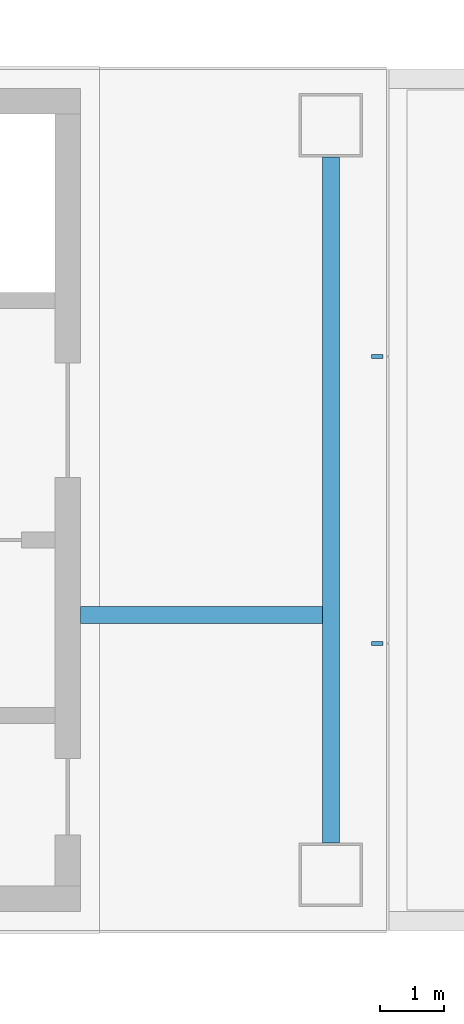
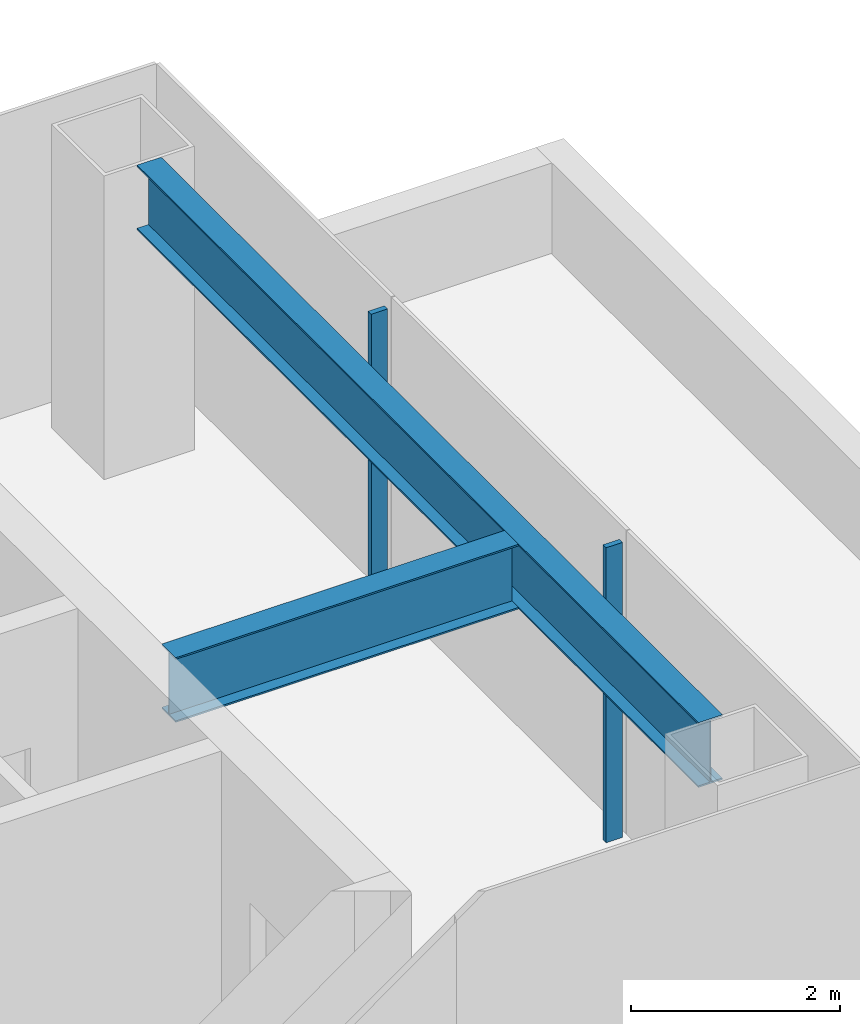
# One storey, part 4 of 16: 2 beams, 2 members, 1 element without a shape of its own.
"""IFC4 building model written with IfcOpenShell, lengths in metres."""

from ifc_helpers import new_model, si_unit, direction, frame, origin, origin_2d, place, context, subcontext, project, spatial, rectangle, i_section, extrude, material, layer, layer_set, material_profile, profile_set, type_object, element, aggregate, save


model = new_model("IFC4")

# Units and contexts
model_context = context("Model", 3, precision=1e-05, world=origin(), true_north=direction((0.0, 1.0)))
body_context = subcontext(model_context, "Body", "Model", "MODEL_VIEW")
ifc_project = project(units=[si_unit("LENGTHUNIT", "METRE"), si_unit("AREAUNIT", "SQUARE_METRE"), si_unit("VOLUMEUNIT", "CUBIC_METRE"), si_unit("PLANEANGLEUNIT", "RADIAN"), si_unit("MASSUNIT", "GRAM", prefix="KILO")], contexts=[model_context])

# Site, building, storey
site_placement = place(None, origin())
site = spatial("IfcSite", under=ifc_project, at=site_placement, CompositionType="ELEMENT")
building_placement = place(site_placement, origin())
building = spatial("IfcBuilding", under=site, at=building_placement, Name="Shamsa Quay Exchange Towers", CompositionType="ELEMENT")
storey_placement = place(building_placement, frame((0.0, 0.0, 182.699951171875)))
storey = spatial("IfcBuildingStorey", under=building, at=storey_placement, Name="L43", CompositionType="ELEMENT", Elevation=182.699951171875)

# Curtain wall, members
ifc_material_1 = material(Name="Aluminium EN AW-6063 T6, black anodised", Category="aluminium")
ifc_layer = layer(ifc_material_1, 0.280029296875)
ifc_layer_set = layer_set([ifc_layer], Name="CW-1 UNITISED VISION GLASS")
curtain_wall_type = type_object("IfcCurtainWallType", Name="CW-1 UNITISED VISION GLASS", PredefinedType="NOTDEFINED", material=ifc_layer_set)
curtain_wall_placement = place(storey_placement, origin())
curtain_wall = element("IfcCurtainWall", 1, at=curtain_wall_placement, inside=storey, type_object=curtain_wall_type, Name="CW1 T1-END-U+ L43", PredefinedType="NOTDEFINED")
ifc_material_profile_1 = material_profile(ifc_material_1, rectangle(XDim=0.179931640625, YDim=0.06005859375, at=origin_2d()), Name="MU60x180")
ifc_profile_set_1 = profile_set([ifc_material_profile_1], Name="Aluminium EN AW-6063 T6, black anodised")
member_type = type_object("IfcMemberType", Name="CW1 MULLION 60x180", PredefinedType="MULLION", material=ifc_profile_set_1)
member_1_placement = place(storey_placement, frame((-9.14990234375, -2.25, 0.0), z_axis=(0.0, 0.0, 1.0), x_axis=(-1.0, 0.0, 0.0)))
member_1 = element("IfcMember", 2, at=member_1_placement, type_object=member_type, Name="CW1 mullion", PredefinedType="MULLION", context=body_context, shape_type="SweptSolid", body=[
    extrude(rectangle(XDim=0.179931640625, YDim=0.06005859375, at=origin_2d()), origin(), (0.0, 0.0, 1.0), 3.449951171875),
])
member_2_placement = place(storey_placement, frame((-9.14990234375, 2.25, 0.0), z_axis=(0.0, 0.0, 1.0), x_axis=(-1.0, 0.0, 0.0)))
member_2 = element("IfcMember", 3, at=member_2_placement, type_object=member_type, Name="CW1 mullion", PredefinedType="MULLION", context=body_context, shape_type="SweptSolid", body=[
    extrude(rectangle(XDim=0.179931640625, YDim=0.06005859375, at=origin_2d()), origin(), (0.0, 0.0, 1.0), 3.449951171875),
])
aggregate(curtain_wall, [member_1, member_2])

# Beams
ifc_material_2 = material(Name="Steel S355", Category="steel")
ifc_material_profile_2 = material_profile(ifc_material_2, i_section(OverallWidth=0.26611328125, OverallDepth=0.7578125, WebThickness=0.013916015625, FlangeThickness=0.019287109375, at=origin_2d()), Name="W30x108")
ifc_profile_set_2 = profile_set([ifc_material_profile_2], Name="Steel S355")
beam_type = type_object("IfcBeamType", Name="End-zone beam W30x108", PredefinedType="BEAM", material=ifc_profile_set_2)
beam_1_placement = place(storey_placement, frame((-9.875, -5.375, 3.171142578125), z_axis=(0.0, 1.0, 0.0), x_axis=(-1.0, 0.0, 0.0)))
element("IfcBeam", 4, at=beam_1_placement, inside=storey, type_object=beam_type, Name="End beam T1 U+ end zone L43", PredefinedType="BEAM", context=body_context, shape_type="SweptSolid", body=[
    extrude(i_section(OverallWidth=0.26611328125, OverallDepth=0.7578125, WebThickness=0.013916015625, FlangeThickness=0.019287109375, at=origin_2d()), origin(), (0.0, 0.0, 1.0), 10.75),
])
beam_2_placement = place(storey_placement, frame((-13.800048828125, -1.800048828125, 3.171142578125), z_axis=(1.0, 0.0, 0.0), x_axis=(0.0, 1.0, 0.0)))
element("IfcBeam", 5, at=beam_2_placement, inside=storey, type_object=beam_type, Name="Spine beam T1 U+ end zone L43", PredefinedType="BEAM", context=body_context, shape_type="SweptSolid", body=[
    extrude(i_section(OverallWidth=0.26611328125, OverallDepth=0.7578125, WebThickness=0.013916015625, FlangeThickness=0.019287109375, at=origin_2d()), origin(), (0.0, 0.0, 1.0), 3.7919921875),
])

save(model, "model.ifc")
